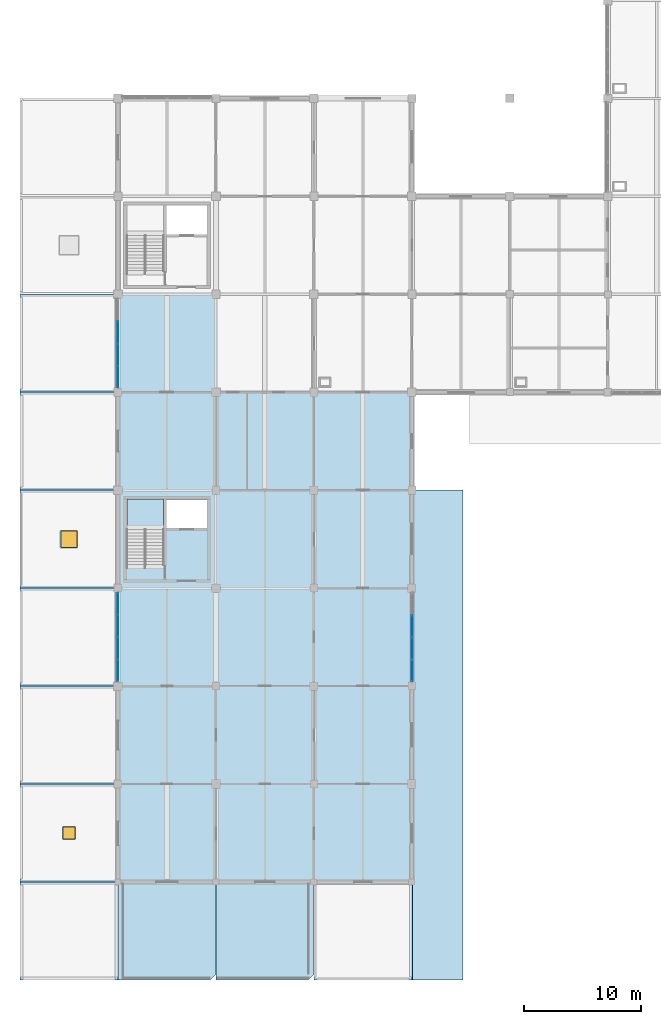
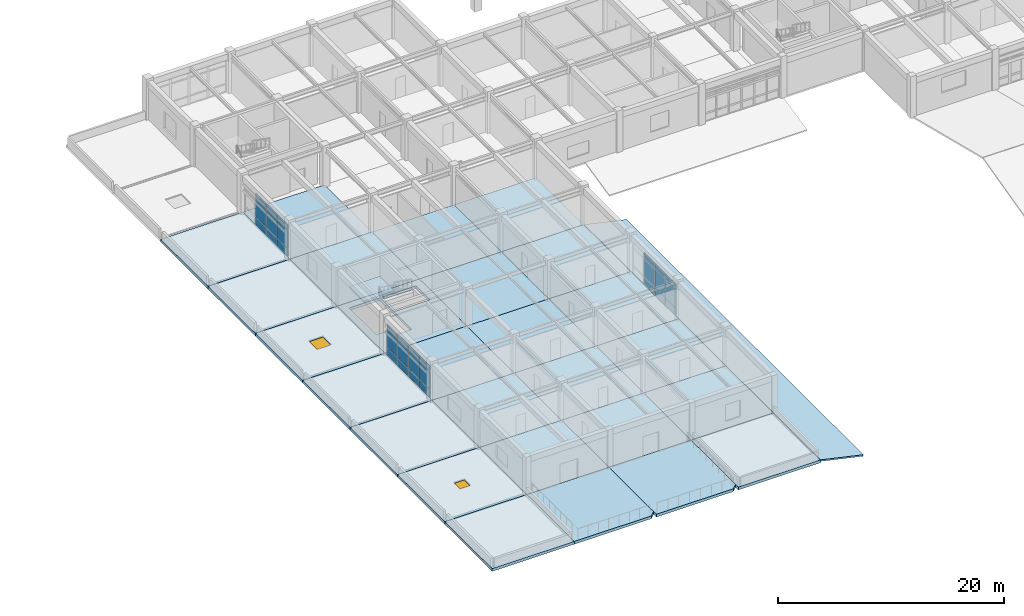
# One storey, part 42 of 78: 30 plates, 28 slabs, 2 windows, 2 openings, 4 elements without a shape of their own.
"""IFC4 building model written with IfcOpenShell, lengths in metres."""

from ifc_helpers import new_model, si_unit, direction, frame, origin, origin_2d, place, context, subcontext, project, spatial, polyline, rectangle, outline, extrude, material, layer, layer_set, type_object, element, fill, aggregate, save


model = new_model("IFC4")

# Units and contexts
model_context = context("Model", 3, precision=1e-05, world=origin(), true_north=direction((0.0, 1.0)))
body_context = subcontext(model_context, "Body", "Model", "MODEL_VIEW")
ifc_project = project(units=[si_unit("LENGTHUNIT", "METRE"), si_unit("AREAUNIT", "SQUARE_METRE"), si_unit("VOLUMEUNIT", "CUBIC_METRE"), si_unit("PLANEANGLEUNIT", "RADIAN"), si_unit("MASSUNIT", "GRAM", prefix="KILO")], contexts=[model_context])

# Site, building, storey
site_placement = place(None, origin())
site = spatial("IfcSite", under=ifc_project, at=site_placement, CompositionType="ELEMENT")
building_placement = place(site_placement, origin())
building = spatial("IfcBuilding", under=site, at=building_placement, Name="Porcellanite Civic Hall", CompositionType="ELEMENT")
storey_placement = place(building_placement, frame((0.0, 0.0, 10.260009765625)))
storey = spatial("IfcBuildingStorey", under=building, at=storey_placement, Name="L02", CompositionType="ELEMENT", Elevation=10.260009765625)

# Curtain wall, plates
ifc_material_1 = material(Name="Anodised aluminium and solar laminated glass", Category="aluminium")
ifc_layer_1 = layer(ifc_material_1, 0.179931640625)
ifc_layer_set_1 = layer_set([ifc_layer_1], Name="Anodised aluminium and solar laminated glass")
curtain_wall_type = type_object("IfcCurtainWallType", Name="CW-SYS05", PredefinedType="NOTDEFINED", material=ifc_layer_set_1)
curtain_wall_1_placement = place(storey_placement, origin())
curtain_wall_1 = element("IfcCurtainWall", 1, at=curtain_wall_1_placement, inside=storey, type_object=curtain_wall_type, Name="Curtain wall CW-132", PredefinedType="NOTDEFINED")
ifc_material_2 = material(Name="Cyclone laminated solar-control low-E glass", Category="glass")
ifc_layer_2 = layer(ifc_material_2, 0.028076171875)
ifc_layer_set_2 = layer_set([ifc_layer_2], Name="Cyclone laminated solar-control low-E glass")
plate_type = type_object("IfcPlateType", Name="CWP-03", PredefinedType="CURTAIN_PANEL", material=ifc_layer_set_2)
plate_1_placement = place(storey_placement, frame((8.39990234375, 26.552734375, 0.06005859375), z_axis=(0.0, 0.0, 1.0), x_axis=(0.0, 1.0, 0.0)))
plate_1 = element("IfcPlate", 2, at=plate_1_placement, type_object=plate_type, Name="CW-132 panel 1.1", PredefinedType="CURTAIN_PANEL", context=body_context, shape_type="SweptSolid", body=[
    extrude(rectangle(XDim=1.813232421875, YDim=0.028076171875, at=origin_2d()), origin(), (0.0, 0.0, 1.0), 0.81005859375),
])
plate_2_placement = place(storey_placement, frame((8.39990234375, 26.552734375, 0.93017578125), z_axis=(0.0, 0.0, 1.0), x_axis=(0.0, 1.0, 0.0)))
plate_2 = element("IfcPlate", 3, at=plate_2_placement, type_object=plate_type, Name="CW-132 panel 1.2", PredefinedType="CURTAIN_PANEL", context=body_context, shape_type="SweptSolid", body=[
    extrude(rectangle(XDim=1.813232421875, YDim=0.028076171875, at=origin_2d()), origin(), (0.0, 0.0, 1.0), 1.929931640625),
])
plate_3_placement = place(storey_placement, frame((8.39990234375, 26.552734375, 2.919921875), z_axis=(0.0, 0.0, 1.0), x_axis=(0.0, 1.0, 0.0)))
plate_3 = element("IfcPlate", 4, at=plate_3_placement, type_object=plate_type, Name="CW-132 panel 1.3", PredefinedType="CURTAIN_PANEL", context=body_context, shape_type="SweptSolid", body=[
    extrude(rectangle(XDim=1.813232421875, YDim=0.028076171875, at=origin_2d()), origin(), (0.0, 0.0, 1.0), 0.56005859375),
])
plate_4_placement = place(storey_placement, frame((8.39990234375, 28.453369140625, 0.06005859375), z_axis=(0.0, 0.0, 1.0), x_axis=(0.0, 1.0, 0.0)))
plate_4 = element("IfcPlate", 5, at=plate_4_placement, type_object=plate_type, Name="CW-132 panel 2.1", PredefinedType="CURTAIN_PANEL", context=body_context, shape_type="SweptSolid", body=[
    extrude(rectangle(XDim=1.84814453125, YDim=0.028076171875, at=origin_2d()), origin(), (0.0, 0.0, 1.0), 0.81005859375),
])
plate_5_placement = place(storey_placement, frame((8.39990234375, 28.453369140625, 0.93017578125), z_axis=(0.0, 0.0, 1.0), x_axis=(0.0, 1.0, 0.0)))
plate_5 = element("IfcPlate", 6, at=plate_5_placement, type_object=plate_type, Name="CW-132 panel 2.2", PredefinedType="CURTAIN_PANEL", context=body_context, shape_type="SweptSolid", body=[
    extrude(rectangle(XDim=1.84814453125, YDim=0.028076171875, at=origin_2d()), origin(), (0.0, 0.0, 1.0), 1.929931640625),
])
plate_6_placement = place(storey_placement, frame((8.39990234375, 28.453369140625, 2.919921875), z_axis=(0.0, 0.0, 1.0), x_axis=(0.0, 1.0, 0.0)))
plate_6 = element("IfcPlate", 7, at=plate_6_placement, type_object=plate_type, Name="CW-132 panel 2.3", PredefinedType="CURTAIN_PANEL", context=body_context, shape_type="SweptSolid", body=[
    extrude(rectangle(XDim=1.84814453125, YDim=0.028076171875, at=origin_2d()), origin(), (0.0, 0.0, 1.0), 0.56005859375),
])
plate_7_placement = place(storey_placement, frame((8.39990234375, 30.37158203125, 0.06005859375), z_axis=(0.0, 0.0, 1.0), x_axis=(0.0, 1.0, 0.0)))
plate_7 = element("IfcPlate", 8, at=plate_7_placement, type_object=plate_type, Name="CW-132 panel 3.1", PredefinedType="CURTAIN_PANEL", context=body_context, shape_type="SweptSolid", body=[
    extrude(rectangle(XDim=1.84814453125, YDim=0.028076171875, at=origin_2d()), origin(), (0.0, 0.0, 1.0), 0.81005859375),
])
plate_8_placement = place(storey_placement, frame((8.39990234375, 30.37158203125, 0.93017578125), z_axis=(0.0, 0.0, 1.0), x_axis=(0.0, 1.0, 0.0)))
plate_8 = element("IfcPlate", 9, at=plate_8_placement, type_object=plate_type, Name="CW-132 panel 3.2", PredefinedType="CURTAIN_PANEL", context=body_context, shape_type="SweptSolid", body=[
    extrude(rectangle(XDim=1.84814453125, YDim=0.028076171875, at=origin_2d()), origin(), (0.0, 0.0, 1.0), 1.929931640625),
])
plate_9_placement = place(storey_placement, frame((8.39990234375, 30.37158203125, 2.919921875), z_axis=(0.0, 0.0, 1.0), x_axis=(0.0, 1.0, 0.0)))
plate_9 = element("IfcPlate", 10, at=plate_9_placement, type_object=plate_type, Name="CW-132 panel 3.3", PredefinedType="CURTAIN_PANEL", context=body_context, shape_type="SweptSolid", body=[
    extrude(rectangle(XDim=1.84814453125, YDim=0.028076171875, at=origin_2d()), origin(), (0.0, 0.0, 1.0), 0.56005859375),
])
plate_10_placement = place(storey_placement, frame((8.39990234375, 32.2724609375, 0.06005859375), z_axis=(0.0, 0.0, 1.0), x_axis=(0.0, 1.0, 0.0)))
plate_10 = element("IfcPlate", 11, at=plate_10_placement, type_object=plate_type, Name="CW-132 panel 4.1", PredefinedType="CURTAIN_PANEL", context=body_context, shape_type="SweptSolid", body=[
    extrude(rectangle(XDim=1.813232421875, YDim=0.028076171875, at=origin_2d()), origin(), (0.0, 0.0, 1.0), 0.81005859375),
])
plate_11_placement = place(storey_placement, frame((8.39990234375, 32.2724609375, 0.93017578125), z_axis=(0.0, 0.0, 1.0), x_axis=(0.0, 1.0, 0.0)))
plate_11 = element("IfcPlate", 12, at=plate_11_placement, type_object=plate_type, Name="CW-132 panel 4.2", PredefinedType="CURTAIN_PANEL", context=body_context, shape_type="SweptSolid", body=[
    extrude(rectangle(XDim=1.813232421875, YDim=0.028076171875, at=origin_2d()), origin(), (0.0, 0.0, 1.0), 1.929931640625),
])
plate_12_placement = place(storey_placement, frame((8.39990234375, 32.2724609375, 2.919921875), z_axis=(0.0, 0.0, 1.0), x_axis=(0.0, 1.0, 0.0)))
plate_12 = element("IfcPlate", 13, at=plate_12_placement, type_object=plate_type, Name="CW-132 panel 4.3", PredefinedType="CURTAIN_PANEL", context=body_context, shape_type="SweptSolid", body=[
    extrude(rectangle(XDim=1.813232421875, YDim=0.028076171875, at=origin_2d()), origin(), (0.0, 0.0, 1.0), 0.56005859375),
])
aggregate(curtain_wall_1, [plate_1, plate_2, plate_3, plate_4, plate_5, plate_6, plate_7, plate_8, plate_9, plate_10, plate_11, plate_12])

curtain_wall_2_placement = place(storey_placement, origin())
curtain_wall_2 = element("IfcCurtainWall", 14, at=curtain_wall_2_placement, inside=storey, type_object=curtain_wall_type, Name="Curtain wall CW-133", PredefinedType="NOTDEFINED")
plate_13_placement = place(storey_placement, frame((8.39990234375, 51.7275390625, 0.06005859375), z_axis=(0.0, 0.0, 1.0), x_axis=(0.0, 1.0, 0.0)))
plate_13 = element("IfcPlate", 15, at=plate_13_placement, type_object=plate_type, Name="CW-133 panel 1.1", PredefinedType="CURTAIN_PANEL", context=body_context, shape_type="SweptSolid", body=[
    extrude(rectangle(XDim=1.813232421875, YDim=0.028076171875, at=origin_2d()), origin(), (0.0, 0.0, 1.0), 0.81005859375),
])
plate_14_placement = place(storey_placement, frame((8.39990234375, 51.7275390625, 0.93017578125), z_axis=(0.0, 0.0, 1.0), x_axis=(0.0, 1.0, 0.0)))
plate_14 = element("IfcPlate", 16, at=plate_14_placement, type_object=plate_type, Name="CW-133 panel 1.2", PredefinedType="CURTAIN_PANEL", context=body_context, shape_type="SweptSolid", body=[
    extrude(rectangle(XDim=1.813232421875, YDim=0.028076171875, at=origin_2d()), origin(), (0.0, 0.0, 1.0), 1.929931640625),
])
plate_15_placement = place(storey_placement, frame((8.39990234375, 51.7275390625, 2.919921875), z_axis=(0.0, 0.0, 1.0), x_axis=(0.0, 1.0, 0.0)))
plate_15 = element("IfcPlate", 17, at=plate_15_placement, type_object=plate_type, Name="CW-133 panel 1.3", PredefinedType="CURTAIN_PANEL", context=body_context, shape_type="SweptSolid", body=[
    extrude(rectangle(XDim=1.813232421875, YDim=0.028076171875, at=origin_2d()), origin(), (0.0, 0.0, 1.0), 0.56005859375),
])
plate_16_placement = place(storey_placement, frame((8.39990234375, 53.62841796875, 0.06005859375), z_axis=(0.0, 0.0, 1.0), x_axis=(0.0, 1.0, 0.0)))
plate_16 = element("IfcPlate", 18, at=plate_16_placement, type_object=plate_type, Name="CW-133 panel 2.1", PredefinedType="CURTAIN_PANEL", context=body_context, shape_type="SweptSolid", body=[
    extrude(rectangle(XDim=1.84814453125, YDim=0.028076171875, at=origin_2d()), origin(), (0.0, 0.0, 1.0), 0.81005859375),
])
plate_17_placement = place(storey_placement, frame((8.39990234375, 53.62841796875, 0.93017578125), z_axis=(0.0, 0.0, 1.0), x_axis=(0.0, 1.0, 0.0)))
plate_17 = element("IfcPlate", 19, at=plate_17_placement, type_object=plate_type, Name="CW-133 panel 2.2", PredefinedType="CURTAIN_PANEL", context=body_context, shape_type="SweptSolid", body=[
    extrude(rectangle(XDim=1.84814453125, YDim=0.028076171875, at=origin_2d()), origin(), (0.0, 0.0, 1.0), 1.929931640625),
])
plate_18_placement = place(storey_placement, frame((8.39990234375, 53.62841796875, 2.919921875), z_axis=(0.0, 0.0, 1.0), x_axis=(0.0, 1.0, 0.0)))
plate_18 = element("IfcPlate", 20, at=plate_18_placement, type_object=plate_type, Name="CW-133 panel 2.3", PredefinedType="CURTAIN_PANEL", context=body_context, shape_type="SweptSolid", body=[
    extrude(rectangle(XDim=1.84814453125, YDim=0.028076171875, at=origin_2d()), origin(), (0.0, 0.0, 1.0), 0.56005859375),
])
plate_19_placement = place(storey_placement, frame((8.39990234375, 55.546630859375, 0.06005859375), z_axis=(0.0, 0.0, 1.0), x_axis=(0.0, 1.0, 0.0)))
plate_19 = element("IfcPlate", 21, at=plate_19_placement, type_object=plate_type, Name="CW-133 panel 3.1", PredefinedType="CURTAIN_PANEL", context=body_context, shape_type="SweptSolid", body=[
    extrude(rectangle(XDim=1.84814453125, YDim=0.028076171875, at=origin_2d()), origin(), (0.0, 0.0, 1.0), 0.81005859375),
])
plate_20_placement = place(storey_placement, frame((8.39990234375, 55.546630859375, 0.93017578125), z_axis=(0.0, 0.0, 1.0), x_axis=(0.0, 1.0, 0.0)))
plate_20 = element("IfcPlate", 22, at=plate_20_placement, type_object=plate_type, Name="CW-133 panel 3.2", PredefinedType="CURTAIN_PANEL", context=body_context, shape_type="SweptSolid", body=[
    extrude(rectangle(XDim=1.84814453125, YDim=0.028076171875, at=origin_2d()), origin(), (0.0, 0.0, 1.0), 1.929931640625),
])
plate_21_placement = place(storey_placement, frame((8.39990234375, 55.546630859375, 2.919921875), z_axis=(0.0, 0.0, 1.0), x_axis=(0.0, 1.0, 0.0)))
plate_21 = element("IfcPlate", 23, at=plate_21_placement, type_object=plate_type, Name="CW-133 panel 3.3", PredefinedType="CURTAIN_PANEL", context=body_context, shape_type="SweptSolid", body=[
    extrude(rectangle(XDim=1.84814453125, YDim=0.028076171875, at=origin_2d()), origin(), (0.0, 0.0, 1.0), 0.56005859375),
])
aggregate(curtain_wall_2, [plate_13, plate_14, plate_15, plate_16, plate_17, plate_18, plate_19, plate_20, plate_21])

curtain_wall_3_placement = place(storey_placement, origin())
curtain_wall_3 = element("IfcCurtainWall", 24, at=curtain_wall_3_placement, inside=storey, type_object=curtain_wall_type, Name="Curtain wall CW-135", PredefinedType="NOTDEFINED")
plate_22_placement = place(storey_placement, frame((33.60009765625, 30.3466796875, 0.06005859375), z_axis=(0.0, 0.0, 1.0), x_axis=(0.0, -1.0, 0.0)))
plate_22 = element("IfcPlate", 25, at=plate_22_placement, type_object=plate_type, Name="CW-135 panel 2.1", PredefinedType="CURTAIN_PANEL", context=body_context, shape_type="SweptSolid", body=[
    extrude(rectangle(XDim=1.84814453125, YDim=0.028076171875, at=origin_2d()), origin(), (0.0, 0.0, 1.0), 0.81005859375),
])
plate_23_placement = place(storey_placement, frame((33.60009765625, 30.3466796875, 0.93017578125), z_axis=(0.0, 0.0, 1.0), x_axis=(0.0, -1.0, 0.0)))
plate_23 = element("IfcPlate", 26, at=plate_23_placement, type_object=plate_type, Name="CW-135 panel 2.2", PredefinedType="CURTAIN_PANEL", context=body_context, shape_type="SweptSolid", body=[
    extrude(rectangle(XDim=1.84814453125, YDim=0.028076171875, at=origin_2d()), origin(), (0.0, 0.0, 1.0), 1.929931640625),
])
plate_24_placement = place(storey_placement, frame((33.60009765625, 30.3466796875, 2.919921875), z_axis=(0.0, 0.0, 1.0), x_axis=(0.0, -1.0, 0.0)))
plate_24 = element("IfcPlate", 27, at=plate_24_placement, type_object=plate_type, Name="CW-135 panel 2.3", PredefinedType="CURTAIN_PANEL", context=body_context, shape_type="SweptSolid", body=[
    extrude(rectangle(XDim=1.84814453125, YDim=0.028076171875, at=origin_2d()), origin(), (0.0, 0.0, 1.0), 0.56005859375),
])
plate_25_placement = place(storey_placement, frame((33.60009765625, 28.428466796875, 0.06005859375), z_axis=(0.0, 0.0, 1.0), x_axis=(0.0, -1.0, 0.0)))
plate_25 = element("IfcPlate", 28, at=plate_25_placement, type_object=plate_type, Name="CW-135 panel 3.1", PredefinedType="CURTAIN_PANEL", context=body_context, shape_type="SweptSolid", body=[
    extrude(rectangle(XDim=1.84814453125, YDim=0.028076171875, at=origin_2d()), origin(), (0.0, 0.0, 1.0), 0.81005859375),
])
plate_26_placement = place(storey_placement, frame((33.60009765625, 28.428466796875, 0.93017578125), z_axis=(0.0, 0.0, 1.0), x_axis=(0.0, -1.0, 0.0)))
plate_26 = element("IfcPlate", 29, at=plate_26_placement, type_object=plate_type, Name="CW-135 panel 3.2", PredefinedType="CURTAIN_PANEL", context=body_context, shape_type="SweptSolid", body=[
    extrude(rectangle(XDim=1.84814453125, YDim=0.028076171875, at=origin_2d()), origin(), (0.0, 0.0, 1.0), 1.929931640625),
])
plate_27_placement = place(storey_placement, frame((33.60009765625, 28.428466796875, 2.919921875), z_axis=(0.0, 0.0, 1.0), x_axis=(0.0, -1.0, 0.0)))
plate_27 = element("IfcPlate", 30, at=plate_27_placement, type_object=plate_type, Name="CW-135 panel 3.3", PredefinedType="CURTAIN_PANEL", context=body_context, shape_type="SweptSolid", body=[
    extrude(rectangle(XDim=1.84814453125, YDim=0.028076171875, at=origin_2d()), origin(), (0.0, 0.0, 1.0), 0.56005859375),
])
plate_28_placement = place(storey_placement, frame((33.60009765625, 26.527587890625, 0.06005859375), z_axis=(0.0, 0.0, 1.0), x_axis=(0.0, -1.0, 0.0)))
plate_28 = element("IfcPlate", 31, at=plate_28_placement, type_object=plate_type, Name="CW-135 panel 4.1", PredefinedType="CURTAIN_PANEL", context=body_context, shape_type="SweptSolid", body=[
    extrude(rectangle(XDim=1.813232421875, YDim=0.028076171875, at=origin_2d()), origin(), (0.0, 0.0, 1.0), 0.81005859375),
])
plate_29_placement = place(storey_placement, frame((33.60009765625, 26.527587890625, 0.93017578125), z_axis=(0.0, 0.0, 1.0), x_axis=(0.0, -1.0, 0.0)))
plate_29 = element("IfcPlate", 32, at=plate_29_placement, type_object=plate_type, Name="CW-135 panel 4.2", PredefinedType="CURTAIN_PANEL", context=body_context, shape_type="SweptSolid", body=[
    extrude(rectangle(XDim=1.813232421875, YDim=0.028076171875, at=origin_2d()), origin(), (0.0, 0.0, 1.0), 1.929931640625),
])
plate_30_placement = place(storey_placement, frame((33.60009765625, 26.527587890625, 2.919921875), z_axis=(0.0, 0.0, 1.0), x_axis=(0.0, -1.0, 0.0)))
plate_30 = element("IfcPlate", 33, at=plate_30_placement, type_object=plate_type, Name="CW-135 panel 4.3", PredefinedType="CURTAIN_PANEL", context=body_context, shape_type="SweptSolid", body=[
    extrude(rectangle(XDim=1.813232421875, YDim=0.028076171875, at=origin_2d()), origin(), (0.0, 0.0, 1.0), 0.56005859375),
])
aggregate(curtain_wall_3, [plate_22, plate_23, plate_24, plate_25, plate_26, plate_27, plate_28, plate_29, plate_30])

# Stair, slab
ifc_material_3 = material(Name="Concrete N40 (40 MPa)", Category="concrete")
stair_type = type_object("IfcStairType", Name="STR-HT25", PredefinedType="HALF_TURN_STAIR", material=ifc_material_3)
stair_placement = place(storey_placement, origin())
stair = element("IfcStair", 34, at=stair_placement, inside=storey, type_object=stair_type, Name="Fire stair ST-01 L02", PredefinedType="HALF_TURN_STAIR")
ifc_material_4 = material(Name="Concrete N40 (40 MPa)", Category="concrete")
ifc_layer_3 = layer(ifc_material_4, 0.179931640625)
ifc_layer_set_3 = layer_set([ifc_layer_3], Name="Concrete N40 (40 MPa)")
slab_type_1 = type_object("IfcSlabType", Name="LND-18", PredefinedType="LANDING", material=ifc_layer_set_3)
slab_1_placement = place(storey_placement, frame((0.0, 0.0, 2.159912109375)))
slab_1 = element("IfcSlab", 35, at=slab_1_placement, type_object=slab_type_1, Name="ST-01 landing 1", PredefinedType="LANDING", context=body_context, shape_type="SweptSolid", body=[
    extrude(outline(polyline([(9.160400390625, 38.625), (12.319580078125, 38.625), (12.319580078125, 41.239501953125), (9.160400390625, 41.239501953125), (9.160400390625, 38.625)])), origin(), (0.0, 0.0, 1.0), 0.18017578125),
])
aggregate(stair, [slab_1])

# Slabs
ifc_material_5 = material(Name="Concrete N40 (40 MPa)", Category="concrete")
ifc_layer_4 = layer(ifc_material_5, 0.280029296875)
ifc_layer_set_4 = layer_set([ifc_layer_4], Name="Concrete N40 (40 MPa)")
slab_type_2 = type_object("IfcSlabType", Name="SL-FL280", PredefinedType="FLOOR", material=ifc_layer_set_4)
slab_2_placement = place(storey_placement, frame((0.0, 0.0, -0.280029296875)))
element("IfcSlab", 36, at=slab_2_placement, inside=storey, type_object=slab_type_2, Name="Slab L02 bay 2-2", PredefinedType="FLOOR", context=body_context, shape_type="SweptSolid", body=[
    extrude(outline(polyline([(8.39990234375, 8.39990234375), (16.800048828125, 8.39990234375), (16.800048828125, 16.800048828125), (8.39990234375, 16.800048828125), (8.39990234375, 8.39990234375)])), origin(), (0.0, 0.0, 1.0), 0.280029296875),
])
slab_3_placement = place(storey_placement, frame((0.0, 0.0, -0.280029296875)))
element("IfcSlab", 37, at=slab_3_placement, inside=storey, type_object=slab_type_2, Name="Slab L02 bay 2-3", PredefinedType="FLOOR", context=body_context, shape_type="SweptSolid", body=[
    extrude(outline(polyline([(8.39990234375, 16.800048828125), (16.800048828125, 16.800048828125), (16.800048828125, 25.199951171875), (8.39990234375, 25.199951171875), (8.39990234375, 16.800048828125)])), origin(), (0.0, 0.0, 1.0), 0.280029296875),
])
slab_4_placement = place(storey_placement, frame((0.0, 0.0, -0.280029296875)))
element("IfcSlab", 38, at=slab_4_placement, inside=storey, type_object=slab_type_2, Name="Slab L02 bay 2-4", PredefinedType="FLOOR", context=body_context, shape_type="SweptSolid", body=[
    extrude(outline(polyline([(8.39990234375, 25.199951171875), (16.800048828125, 25.199951171875), (16.800048828125, 33.60009765625), (8.39990234375, 33.60009765625), (8.39990234375, 25.199951171875)])), origin(), (0.0, 0.0, 1.0), 0.280029296875),
])
slab_5_placement = place(storey_placement, frame((0.0, 0.0, -0.280029296875)))
element("IfcSlab", 39, at=slab_5_placement, inside=storey, type_object=slab_type_2, Name="Slab L02 bay 2-5", PredefinedType="FLOOR", context=body_context, shape_type="SweptSolid", body=[
    extrude(outline(polyline([(8.39990234375, 33.60009765625), (16.800048828125, 33.60009765625), (16.800048828125, 42.0), (8.39990234375, 42.0), (8.39990234375, 33.60009765625)]), holes=[polyline([(9.179931640625, 36.449951171875), (10.760009765625, 36.449951171875), (10.760009765625, 35.60009765625), (12.320068359375, 35.60009765625), (12.320068359375, 41.219970703125), (9.179931640625, 41.219970703125), (9.179931640625, 36.449951171875)]), polyline([(12.56005859375, 38.739990234375), (16.02001953125, 38.739990234375), (16.02001953125, 41.219970703125), (12.56005859375, 41.219970703125), (12.56005859375, 38.739990234375)])]), origin(), (0.0, 0.0, 1.0), 0.280029296875),
])
slab_6_placement = place(storey_placement, frame((0.0, 0.0, -0.280029296875)))
element("IfcSlab", 40, at=slab_6_placement, inside=storey, type_object=slab_type_2, Name="Slab L02 bay 2-6", PredefinedType="FLOOR", context=body_context, shape_type="SweptSolid", body=[
    extrude(outline(polyline([(8.39990234375, 42.0), (16.800048828125, 42.0), (16.800048828125, 50.39990234375), (8.39990234375, 50.39990234375), (8.39990234375, 42.0)])), origin(), (0.0, 0.0, 1.0), 0.280029296875),
])
slab_7_placement = place(storey_placement, frame((0.0, 0.0, -0.280029296875)))
element("IfcSlab", 41, at=slab_7_placement, inside=storey, type_object=slab_type_2, Name="Slab L02 bay 2-7", PredefinedType="FLOOR", context=body_context, shape_type="SweptSolid", body=[
    extrude(outline(polyline([(8.39990234375, 50.39990234375), (16.800048828125, 50.39990234375), (16.800048828125, 58.800048828125), (8.39990234375, 58.800048828125), (8.39990234375, 50.39990234375)])), origin(), (0.0, 0.0, 1.0), 0.280029296875),
])
slab_8_placement = place(storey_placement, frame((0.0, 0.0, -0.280029296875)))
element("IfcSlab", 42, at=slab_8_placement, inside=storey, type_object=slab_type_2, Name="Slab L02 bay 3-2", PredefinedType="FLOOR", context=body_context, shape_type="SweptSolid", body=[
    extrude(outline(polyline([(16.800048828125, 8.39990234375), (25.199951171875, 8.39990234375), (25.199951171875, 16.800048828125), (16.800048828125, 16.800048828125), (16.800048828125, 8.39990234375)])), origin(), (0.0, 0.0, 1.0), 0.280029296875),
])
slab_9_placement = place(storey_placement, frame((0.0, 0.0, -0.280029296875)))
element("IfcSlab", 43, at=slab_9_placement, inside=storey, type_object=slab_type_2, Name="Slab L02 bay 3-3", PredefinedType="FLOOR", context=body_context, shape_type="SweptSolid", body=[
    extrude(outline(polyline([(16.800048828125, 16.800048828125), (25.199951171875, 16.800048828125), (25.199951171875, 25.199951171875), (16.800048828125, 25.199951171875), (16.800048828125, 16.800048828125)])), origin(), (0.0, 0.0, 1.0), 0.280029296875),
])
slab_10_placement = place(storey_placement, frame((0.0, 0.0, -0.280029296875)))
element("IfcSlab", 44, at=slab_10_placement, inside=storey, type_object=slab_type_2, Name="Slab L02 bay 3-4", PredefinedType="FLOOR", context=body_context, shape_type="SweptSolid", body=[
    extrude(outline(polyline([(16.800048828125, 25.199951171875), (25.199951171875, 25.199951171875), (25.199951171875, 33.60009765625), (16.800048828125, 33.60009765625), (16.800048828125, 25.199951171875)])), origin(), (0.0, 0.0, 1.0), 0.280029296875),
])
slab_11_placement = place(storey_placement, frame((0.0, 0.0, -0.280029296875)))
element("IfcSlab", 45, at=slab_11_placement, inside=storey, type_object=slab_type_2, Name="Slab L02 bay 3-5", PredefinedType="FLOOR", context=body_context, shape_type="SweptSolid", body=[
    extrude(outline(polyline([(16.800048828125, 33.60009765625), (25.199951171875, 33.60009765625), (25.199951171875, 42.0), (16.800048828125, 42.0), (16.800048828125, 33.60009765625)])), origin(), (0.0, 0.0, 1.0), 0.280029296875),
])
slab_12_placement = place(storey_placement, frame((0.0, 0.0, -0.280029296875)))
element("IfcSlab", 46, at=slab_12_placement, inside=storey, type_object=slab_type_2, Name="Slab L02 bay 3-6", PredefinedType="FLOOR", context=body_context, shape_type="SweptSolid", body=[
    extrude(outline(polyline([(16.800048828125, 42.0), (25.199951171875, 42.0), (25.199951171875, 50.39990234375), (16.800048828125, 50.39990234375), (16.800048828125, 42.0)])), origin(), (0.0, 0.0, 1.0), 0.280029296875),
])
slab_13_placement = place(storey_placement, frame((0.0, 0.0, -0.280029296875)))
element("IfcSlab", 47, at=slab_13_placement, inside=storey, type_object=slab_type_2, Name="Slab L02 bay 4-2", PredefinedType="FLOOR", context=body_context, shape_type="SweptSolid", body=[
    extrude(outline(polyline([(25.199951171875, 8.39990234375), (33.60009765625, 8.39990234375), (33.60009765625, 16.800048828125), (25.199951171875, 16.800048828125), (25.199951171875, 8.39990234375)])), origin(), (0.0, 0.0, 1.0), 0.280029296875),
])
slab_14_placement = place(storey_placement, frame((0.0, 0.0, -0.280029296875)))
element("IfcSlab", 48, at=slab_14_placement, inside=storey, type_object=slab_type_2, Name="Slab L02 bay 4-3", PredefinedType="FLOOR", context=body_context, shape_type="SweptSolid", body=[
    extrude(outline(polyline([(25.199951171875, 16.800048828125), (33.60009765625, 16.800048828125), (33.60009765625, 25.199951171875), (25.199951171875, 25.199951171875), (25.199951171875, 16.800048828125)])), origin(), (0.0, 0.0, 1.0), 0.280029296875),
])
slab_15_placement = place(storey_placement, frame((0.0, 0.0, -0.280029296875)))
element("IfcSlab", 49, at=slab_15_placement, inside=storey, type_object=slab_type_2, Name="Slab L02 bay 4-4", PredefinedType="FLOOR", context=body_context, shape_type="SweptSolid", body=[
    extrude(outline(polyline([(25.199951171875, 25.199951171875), (33.60009765625, 25.199951171875), (33.60009765625, 33.60009765625), (25.199951171875, 33.60009765625), (25.199951171875, 25.199951171875)])), origin(), (0.0, 0.0, 1.0), 0.280029296875),
])
slab_16_placement = place(storey_placement, frame((0.0, 0.0, -0.280029296875)))
element("IfcSlab", 50, at=slab_16_placement, inside=storey, type_object=slab_type_2, Name="Slab L02 bay 4-5", PredefinedType="FLOOR", context=body_context, shape_type="SweptSolid", body=[
    extrude(outline(polyline([(25.199951171875, 33.60009765625), (33.60009765625, 33.60009765625), (33.60009765625, 42.0), (25.199951171875, 42.0), (25.199951171875, 33.60009765625)])), origin(), (0.0, 0.0, 1.0), 0.280029296875),
])
slab_17_placement = place(storey_placement, frame((0.0, 0.0, -0.280029296875)))
element("IfcSlab", 51, at=slab_17_placement, inside=storey, type_object=slab_type_2, Name="Slab L02 bay 4-6", PredefinedType="FLOOR", context=body_context, shape_type="SweptSolid", body=[
    extrude(outline(polyline([(25.199951171875, 42.0), (33.60009765625, 42.0), (33.60009765625, 50.39990234375), (25.199951171875, 50.39990234375), (25.199951171875, 42.0)])), origin(), (0.0, 0.0, 1.0), 0.280029296875),
])
ifc_material_6 = material(Name="Concrete N40 (40 MPa)", Category="concrete")
ifc_layer_5 = layer(ifc_material_6, 0.159912109375)
ifc_layer_set_5 = layer_set([ifc_layer_5], Name="Concrete N40 (40 MPa)")
slab_type_3 = type_object("IfcSlabType", Name="SL-MON160", PredefinedType="ROOF", material=ifc_layer_set_5)
slab_18_placement = place(storey_placement, frame((33.637939453125, 0.0, 0.0), z_axis=(0.2182604073, 0.0, 0.975890564872), x_axis=(0.975890564872, 0.0, -0.2182604073)))
element("IfcSlab", 52, at=slab_18_placement, inside=storey, type_object=slab_type_3, Name="Square colonnade monsoon roof COL-W", PredefinedType="ROOF", context=body_context, shape_type="SweptSolid", body=[
    extrude(outline(polyline([(0.0, 0.0), (4.469825515168481, 0.0), (4.469825515168481, 42.0), (0.0, 42.0), (0.0, 0.0)])), origin(), (0.0, 0.0, -1.0), 0.159912109375),
])
ifc_material_7 = material(Name="Concrete N40 (40 MPa)", Category="concrete")
ifc_layer_6 = layer(ifc_material_7, 0.300048828125)
ifc_layer_set_6 = layer_set([ifc_layer_6], Name="Concrete N40 (40 MPa)")
slab_type_4 = type_object("IfcSlabType", Name="SL-RF300", PredefinedType="ROOF", material=ifc_layer_set_6)
slab_19_placement = place(storey_placement, frame((0.0, 0.0, -0.300048828125)))
element("IfcSlab", 53, at=slab_19_placement, inside=storey, type_object=slab_type_4, Name="Roof slab L02 1-1", PredefinedType="ROOF", context=body_context, shape_type="SweptSolid", body=[
    extrude(outline(polyline([(0.0, 0.0), (8.39990234375, 0.0), (8.39990234375, 8.39990234375), (0.0, 8.39990234375), (0.0, 0.0)])), origin(), (0.0, 0.0, 1.0), 0.300048828125),
])

# Slab, opening, window
slab_20_placement = place(storey_placement, frame((0.0, 0.0, -0.300048828125)))
slab_20 = element("IfcSlab", 54, at=slab_20_placement, inside=storey, type_object=slab_type_4, Name="Roof slab L02 1-2", PredefinedType="ROOF", context=body_context, shape_type="SweptSolid", body=[
    extrude(outline(polyline([(0.0, 8.39990234375), (8.39990234375, 8.39990234375), (8.39990234375, 16.800048828125), (0.0, 16.800048828125), (0.0, 8.39990234375)])), origin(), (0.0, 0.0, 1.0), 0.300048828125),
])
opening_1_placement = place(slab_20_placement, frame((4.199951171875, 12.60009765625, 0.0)))
opening_1 = element("IfcOpeningElement", 55, at=opening_1_placement, cuts=slab_20, Name="Opening SK6", PredefinedType="OPENING", context=body_context, shape_type="SweptSolid", body=[
    extrude(rectangle(XDim=1.0, YDim=1.0, at=origin_2d()), origin(), (0.0, 0.0, 1.0), 0.300048828125),
])
ifc_material_8 = material(Name="Cyclone laminated low-E glazing in anodised aluminium frame", Category="aluminium")
window_type_1 = type_object("IfcWindowType", Name="SK-06", PartitioningType="SINGLE_PANEL", PredefinedType="SKYLIGHT", material=ifc_material_8)
window_1_placement = place(opening_1_placement, frame((0.0, 0.0, 0.25)))
window_1 = element("IfcWindow", 56, at=window_1_placement, inside=storey, type_object=window_type_1, Name="Roof skylight SK6 L02 1-2", OverallHeight=1.0, OverallWidth=1.0, PartitioningType="SINGLE_PANEL", PredefinedType="SKYLIGHT", context=body_context, shape_type="SweptSolid", body=[
    extrude(rectangle(XDim=1.0, YDim=1.0, at=origin_2d()), origin(), (0.0, 0.0, 1.0), 0.050048828125),
])
fill(opening_1, window_1)

# Slabs
slab_21_placement = place(storey_placement, frame((0.0, 0.0, -0.300048828125)))
element("IfcSlab", 57, at=slab_21_placement, inside=storey, type_object=slab_type_4, Name="Roof slab L02 1-3", PredefinedType="ROOF", context=body_context, shape_type="SweptSolid", body=[
    extrude(outline(polyline([(0.0, 16.800048828125), (8.39990234375, 16.800048828125), (8.39990234375, 25.199951171875), (0.0, 25.199951171875), (0.0, 16.800048828125)])), origin(), (0.0, 0.0, 1.0), 0.300048828125),
])
slab_22_placement = place(storey_placement, frame((0.0, 0.0, -0.300048828125)))
element("IfcSlab", 58, at=slab_22_placement, inside=storey, type_object=slab_type_4, Name="Roof slab L02 1-4", PredefinedType="ROOF", context=body_context, shape_type="SweptSolid", body=[
    extrude(outline(polyline([(0.0, 25.199951171875), (8.39990234375, 25.199951171875), (8.39990234375, 33.60009765625), (0.0, 33.60009765625), (0.0, 25.199951171875)])), origin(), (0.0, 0.0, 1.0), 0.300048828125),
])

# Slab, opening, window
slab_23_placement = place(storey_placement, frame((0.0, 0.0, -0.300048828125)))
slab_23 = element("IfcSlab", 59, at=slab_23_placement, inside=storey, type_object=slab_type_4, Name="Roof slab L02 1-5", PredefinedType="ROOF", context=body_context, shape_type="SweptSolid", body=[
    extrude(outline(polyline([(0.0, 33.60009765625), (8.39990234375, 33.60009765625), (8.39990234375, 42.0), (0.0, 42.0), (0.0, 33.60009765625)])), origin(), (0.0, 0.0, 1.0), 0.300048828125),
])
opening_2_placement = place(slab_23_placement, frame((4.199951171875, 37.800048828125, 0.0)))
opening_2 = element("IfcOpeningElement", 60, at=opening_2_placement, cuts=slab_23, Name="Opening SK7", PredefinedType="OPENING", context=body_context, shape_type="SweptSolid", body=[
    extrude(rectangle(XDim=1.39990234375, YDim=1.39990234375, at=origin_2d()), origin(), (0.0, 0.0, 1.0), 0.300048828125),
])
ifc_material_9 = material(Name="Cyclone laminated low-E glazing in anodised aluminium frame", Category="aluminium")
window_type_2 = type_object("IfcWindowType", Name="SK-07", PartitioningType="SINGLE_PANEL", PredefinedType="SKYLIGHT", material=ifc_material_9)
window_2_placement = place(opening_2_placement, frame((0.0, 0.0, 0.25)))
window_2 = element("IfcWindow", 61, at=window_2_placement, inside=storey, type_object=window_type_2, Name="Roof skylight SK7 L02 1-5", OverallHeight=1.39990234375, OverallWidth=1.39990234375, PartitioningType="SINGLE_PANEL", PredefinedType="SKYLIGHT", context=body_context, shape_type="SweptSolid", body=[
    extrude(rectangle(XDim=1.39990234375, YDim=1.39990234375, at=origin_2d()), origin(), (0.0, 0.0, 1.0), 0.050048828125),
])
fill(opening_2, window_2)

# Slabs
slab_24_placement = place(storey_placement, frame((0.0, 0.0, -0.300048828125)))
element("IfcSlab", 62, at=slab_24_placement, inside=storey, type_object=slab_type_4, Name="Roof slab L02 1-6", PredefinedType="ROOF", context=body_context, shape_type="SweptSolid", body=[
    extrude(outline(polyline([(0.0, 42.0), (8.39990234375, 42.0), (8.39990234375, 50.39990234375), (0.0, 50.39990234375), (0.0, 42.0)])), origin(), (0.0, 0.0, 1.0), 0.300048828125),
])
slab_25_placement = place(storey_placement, frame((0.0, 0.0, -0.300048828125)))
element("IfcSlab", 63, at=slab_25_placement, inside=storey, type_object=slab_type_4, Name="Roof slab L02 1-7", PredefinedType="ROOF", context=body_context, shape_type="SweptSolid", body=[
    extrude(outline(polyline([(0.0, 50.39990234375), (8.39990234375, 50.39990234375), (8.39990234375, 58.800048828125), (0.0, 58.800048828125), (0.0, 50.39990234375)])), origin(), (0.0, 0.0, 1.0), 0.300048828125),
])
slab_26_placement = place(storey_placement, frame((0.0, 0.0, -0.300048828125)))
element("IfcSlab", 64, at=slab_26_placement, inside=storey, type_object=slab_type_4, Name="Roof slab L02 4-1", PredefinedType="ROOF", context=body_context, shape_type="SweptSolid", body=[
    extrude(outline(polyline([(25.199951171875, 0.0), (33.60009765625, 0.0), (33.60009765625, 8.39990234375), (25.199951171875, 8.39990234375), (25.199951171875, 0.0)])), origin(), (0.0, 0.0, 1.0), 0.300048828125),
])
ifc_material_10 = material(Name="Concrete N40 (40 MPa)", Category="concrete")
ifc_layer_7 = layer(ifc_material_10, 0.300048828125)
ifc_layer_set_7 = layer_set([ifc_layer_7], Name="Concrete N40 (40 MPa)")
slab_type_5 = type_object("IfcSlabType", Name="SL-TER300", PredefinedType="FLOOR", material=ifc_layer_set_7)
slab_27_placement = place(storey_placement, frame((0.0, 0.0, -0.300048828125)))
element("IfcSlab", 65, at=slab_27_placement, inside=storey, type_object=slab_type_5, Name="Civic terrace slab L02 2-1", PredefinedType="FLOOR", context=body_context, shape_type="SweptSolid", body=[
    extrude(outline(polyline([(8.39990234375, 0.0), (16.300048828125, 0.0), (16.800048828125, 0.5), (16.800048828125, 8.39990234375), (8.39990234375, 8.39990234375), (8.39990234375, 0.0)])), origin(), (0.0, 0.0, 1.0), 0.300048828125),
])
slab_28_placement = place(storey_placement, frame((0.0, 0.0, -0.300048828125)))
element("IfcSlab", 66, at=slab_28_placement, inside=storey, type_object=slab_type_5, Name="Civic terrace slab L02 3-1", PredefinedType="FLOOR", context=body_context, shape_type="SweptSolid", body=[
    extrude(outline(polyline([(16.800048828125, 0.0), (24.699951171875, 0.0), (25.199951171875, 0.5), (25.199951171875, 8.39990234375), (16.800048828125, 8.39990234375), (16.800048828125, 0.0)])), origin(), (0.0, 0.0, 1.0), 0.300048828125),
])

save(model, "model.ifc")
